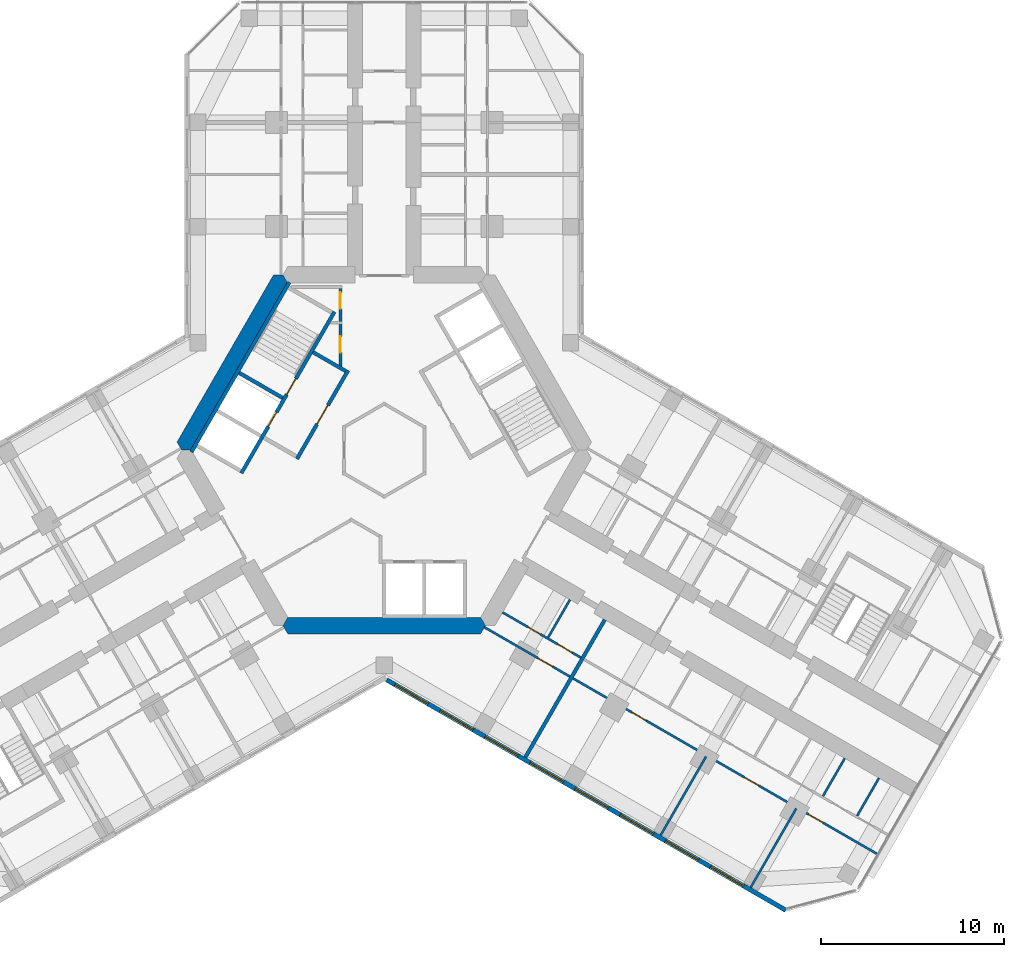
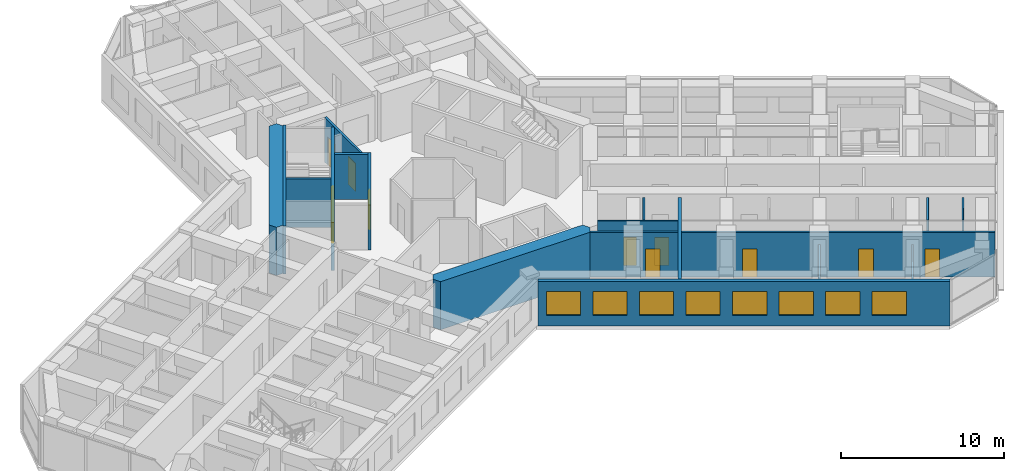
# One storey, part 13 of 19: 18 walls, 11 doors, 8 windows, 19 openings.
"""IFC4 building model written with IfcOpenShell, lengths in metres."""

import ifcopenshell
import ifcopenshell.guid

model = None  # the IFC model being written
_history = None  # IfcOwnerHistory: only IFC2X3 demands one
_inside = {}  # id of a spatial element -> (the spatial element, [elements in it])
_under = {}  # id of a project, library or spatial element -> (it, [spatial elements below it])
_declared = {}  # id of a project -> (the project, [libraries it declares])
_typed = {}  # id of a type object -> (the type object, [elements of that type])
_made_of = {}  # id of a material, layer set ... -> (it, [elements and type objects made of it])


def new_model(schema):
    """Start an empty IFC model of exactly this schema.

    Asked for "IFC4X3", IfcOpenShell would pick the latest addendum, in which some entities
    have other attributes; the version numbers below select the first issue.
    IFC2X3 requires an IfcOwnerHistory on every rooted entity: one is made here for all.
    """
    global model, _history
    if schema == "IFC4X3":
        model = ifcopenshell.file(schema_version=(4, 3, 0, 0))
    else:
        model = ifcopenshell.file(schema=schema)
    _inside.clear()
    _under.clear()
    _declared.clear()
    _typed.clear()
    _made_of.clear()
    _history = None
    if model.schema == "IFC2X3":
        org = make("IfcOrganization", Name="unknown")
        user = make(
            "IfcPersonAndOrganization",
            ThePerson=make("IfcPerson", FamilyName="unknown"),
            TheOrganization=org,
        )
        app = make(
            "IfcApplication",
            ApplicationDeveloper=org,
            Version="unknown",
            ApplicationFullName="unknown",
            ApplicationIdentifier="unknown",
        )
        _history = make(
            "IfcOwnerHistory",
            OwningUser=user,
            OwningApplication=app,
            ChangeAction="ADDED",
            CreationDate=0,
        )
    return model


def make(cls, **values):
    """One entity of the class cls with the attributes given. An attribute that is None is left unset."""
    return model.create_entity(
        cls, **{name: value for name, value in values.items() if value is not None}
    )


def rooted(cls, **values):
    """An entity with a GlobalId (a new one), such as an element, a storey or a relation."""
    return make(cls, GlobalId=ifcopenshell.guid.new(), OwnerHistory=_history, **values)


def si_unit(unit_type, name, prefix=None):
    """IfcSIUnit, for example si_unit("LENGTHUNIT", "METRE", prefix="MILLI")."""
    return make("IfcSIUnit", UnitType=unit_type, Prefix=prefix, Name=name)


def assignment(units):
    """IfcUnitAssignment: the units of a project."""
    return None if units is None else make("IfcUnitAssignment", Units=units)


def point(xyz):
    """IfcCartesianPoint."""
    return None if xyz is None else make("IfcCartesianPoint", Coordinates=xyz)


def direction(xyz):
    """IfcDirection."""
    return None if xyz is None else make("IfcDirection", DirectionRatios=xyz)


def frame(location, z_axis=None, x_axis=None):
    """IfcAxis2Placement3D, a coordinate frame: its origin and axes. An axis left out is left unset."""
    return make(
        "IfcAxis2Placement3D",
        Location=point(location),
        Axis=direction(z_axis),
        RefDirection=direction(x_axis),
    )


def frame_2d(location, x_axis=None):
    """IfcAxis2Placement2D, a coordinate frame in the plane: its origin and x axis."""
    return make(
        "IfcAxis2Placement2D", Location=point(location), RefDirection=direction(x_axis)
    )


def origin():
    """The frame at (0, 0, 0) with its axes left unset."""
    return frame((0.0, 0.0, 0.0))


def place(relative_to, where):
    """IfcLocalPlacement: puts the frame where relative to a parent placement (None: the world)."""
    return make(
        "IfcLocalPlacement", PlacementRelTo=relative_to, RelativePlacement=where
    )


def context(
    kind, dimensions, precision=None, world=None, true_north=None, identifier=None
):
    """IfcGeometricRepresentationContext, for example the 3D "Model" context."""
    return make(
        "IfcGeometricRepresentationContext",
        ContextIdentifier=identifier,
        ContextType=kind,
        CoordinateSpaceDimension=dimensions,
        Precision=precision,
        WorldCoordinateSystem=world,
        TrueNorth=true_north,
    )


def subcontext(parent, identifier, kind, view, scale=None):
    """IfcGeometricRepresentationSubContext, for example "Body" below "Model"."""
    return make(
        "IfcGeometricRepresentationSubContext",
        ContextIdentifier=identifier,
        ContextType=kind,
        ParentContext=parent,
        TargetScale=scale,
        TargetView=view,
    )


def project(units=None, contexts=None):
    """IfcProject with its units and contexts."""
    return rooted(
        "IfcProject",
        Name="project",
        RepresentationContexts=contexts,
        UnitsInContext=assignment(units),
    )


def spatial(cls, under=None, at=None, **own):
    """A site, building, storey or space (cls), placed at a placement, below another one or the project."""
    s = rooted(cls, ObjectPlacement=at, **own)
    if under is not None:
        _under.setdefault(under.id(), (under, []))[1].append(s)
    return s


def polyline(points):
    """IfcPolyline through the points."""
    return make("IfcPolyline", Points=[point(p) for p in points])


def profile(cls, at=None, kind="AREA", **sizes):
    """A parametric profile (cls). Its sizes go by their IFC names, for example OverallWidth=200.0."""
    return make(cls, ProfileType=kind, Position=at, **sizes)


def rectangle(**sizes):
    """IfcRectangleProfileDef."""
    return profile("IfcRectangleProfileDef", **sizes)


def outline(outer, holes=None, kind="AREA"):
    """IfcArbitraryClosedProfileDef: a profile drawn as a closed curve; with holes, ...WithVoids."""
    if holes is None:
        return make("IfcArbitraryClosedProfileDef", ProfileType=kind, OuterCurve=outer)
    return make(
        "IfcArbitraryProfileDefWithVoids",
        ProfileType=kind,
        OuterCurve=outer,
        InnerCurves=holes,
    )


def extrude(swept, where, along, depth):
    """IfcExtrudedAreaSolid: the profile swept, set in the frame where, extruded along a direction by depth."""
    return make(
        "IfcExtrudedAreaSolid",
        SweptArea=swept,
        Position=where,
        ExtrudedDirection=direction(along),
        Depth=depth,
    )


def shape(context_of_items, identifier, shape_type, items):
    """IfcShapeRepresentation: the items that make up one representation, for example the "Body"."""
    return make(
        "IfcShapeRepresentation",
        ContextOfItems=context_of_items,
        RepresentationIdentifier=identifier,
        RepresentationType=shape_type,
        Items=items,
    )


def material(Name=None, Category=None):
    """IfcMaterial."""
    return make("IfcMaterial", Name=Name, Category=Category)


def layer(
    of_material, thickness, ventilated=None, Name=None, Category=None, Priority=None
):
    """IfcMaterialLayer: one layer of a wall or slab, of a material (None: an air gap)."""
    return make(
        "IfcMaterialLayer",
        Material=of_material,
        LayerThickness=thickness,
        IsVentilated=ventilated,
        Name=Name,
        Category=Category,
        Priority=Priority,
    )


def layer_set(layers, Name=None):
    """IfcMaterialLayerSet."""
    return make("IfcMaterialLayerSet", MaterialLayers=layers, LayerSetName=Name)


def made_of(thing, what):
    """Note that an element or type object is made of a material, layer set ...; save() writes the relation."""
    if what is not None:
        _made_of.setdefault(what.id(), (what, []))[1].append(thing)
    return thing


def type_object(cls, material=None, **own):
    """A type object (cls), such as IfcWallType, which elements share."""
    return made_of(rooted(cls, **own), material)


def element(
    cls,
    number,
    at=None,
    inside=None,
    cuts=None,
    type_object=None,
    material=None,
    context=None,
    identifier="Body",
    shape_type=None,
    held_by="IfcProductDefinitionShape",
    body=None,
    shapes=None,
    **own,
):
    """One element of the class cls, such as IfcWall. Its Tag is "e" and its number.

    at: its placement. inside: the storey or other place that contains it. cuts: it is an
    opening in that element (IfcRelVoidsElement). A single representation is given by context,
    identifier, shape_type and body (its items); several are given by shapes. held_by: the class
    of the entity that holds the representations. save() writes the other relations.
    """
    e = rooted(cls, Tag="e%d" % number, ObjectPlacement=at, **own)
    if body is not None:
        shapes = [shape(context, identifier, shape_type, body)]
    if shapes is not None:
        e.Representation = make(held_by, Representations=shapes)
    if inside is not None:
        _inside.setdefault(inside.id(), (inside, []))[1].append(e)
    if cuts is not None:
        rooted(
            "IfcRelVoidsElement", RelatingBuildingElement=cuts, RelatedOpeningElement=e
        )
    if type_object is not None:
        _typed.setdefault(type_object.id(), (type_object, []))[1].append(e)
    return made_of(e, material)


def fill(opening, filler):
    """IfcRelFillsElement: the door or window that sits in an opening."""
    return rooted(
        "IfcRelFillsElement",
        RelatingOpeningElement=opening,
        RelatedBuildingElement=filler,
    )


def aggregate(whole, parts):
    """IfcRelAggregates: a whole, such as a stair, and the parts it consists of."""
    return rooted("IfcRelAggregates", RelatingObject=whole, RelatedObjects=parts)


def save(model, path):
    """Write the relations noted so far, then the file.

    IfcRelAggregates (storeys below a building ...), IfcRelContainedInSpatialStructure (elements
    in a storey), IfcRelDefinesByType, IfcRelAssociatesMaterial and IfcRelDeclares: one each for
    every whole, place, type object, material and project.
    """
    for whole, parts in _under.values():
        aggregate(whole, parts)
    for where, things in _inside.values():
        rooted(
            "IfcRelContainedInSpatialStructure",
            RelatedElements=things,
            RelatingStructure=where,
        )
    for kind, things in _typed.values():
        rooted("IfcRelDefinesByType", RelatedObjects=things, RelatingType=kind)
    for what, things in _made_of.values():
        rooted("IfcRelAssociatesMaterial", RelatedObjects=things, RelatingMaterial=what)
    for by, libraries in _declared.values():
        rooted("IfcRelDeclares", RelatingContext=by, RelatedDefinitions=libraries)
    model.write(path)


model = new_model("IFC4")

# Units and contexts
model_context = context("Model", 3, precision=1e-05, world=origin(), true_north=direction((0.0, 1.0)))
body_context = subcontext(model_context, "Body", "Model", "MODEL_VIEW")
ifc_project = project(units=[si_unit("LENGTHUNIT", "METRE"), si_unit("AREAUNIT", "SQUARE_METRE"), si_unit("VOLUMEUNIT", "CUBIC_METRE"), si_unit("PLANEANGLEUNIT", "RADIAN"), si_unit("MASSUNIT", "GRAM", prefix="KILO")], contexts=[model_context])

# Site, building, storey
site_placement = place(None, origin())
site = spatial("IfcSite", under=ifc_project, at=site_placement, CompositionType="ELEMENT")
building_placement = place(site_placement, origin())
building = spatial("IfcBuilding", under=site, at=building_placement, Name="Kosmar Iwan School Tower", CompositionType="ELEMENT")
storey_placement = place(building_placement, frame((0.0, 0.0, 145.39990234375)))
storey = spatial("IfcBuildingStorey", under=building, at=storey_placement, Name="L36", CompositionType="ELEMENT", Elevation=145.39990234375)

# Wall, openings, doors
ifc_material_1 = material(Name="Gypsum board on steel studs, fire-rated", Category="steel")
ifc_layer_1 = layer(ifc_material_1, 0.14990234375)
ifc_layer_set_1 = layer_set([ifc_layer_1], Name="Core room partition 150")
wall_type_1 = type_object("IfcWallType", Name="Core room partition 150", PredefinedType="PARTITIONING", material=ifc_layer_set_1)
wall_1_placement = place(storey_placement, frame((-2.39990234375, 9.014892578125, 0.0), z_axis=(0.0, 0.0, 1.0), x_axis=(0.0, -1.0, 0.0)))
wall_1 = element("IfcWall", 1, at=wall_1_placement, inside=storey, type_object=wall_type_1, Name="Core room partition L36-CW1", PredefinedType="PARTITIONING", context=body_context, shape_type="SweptSolid", body=[
    extrude(rectangle(XDim=4.484130859375, YDim=0.14990234375, at=frame_2d((2.2421875, 0.0))), origin(), (0.0, 0.0, 1.0), 3.35009765625),
])
opening_1_placement = place(wall_1_placement, frame((0.375, 0.0, 0.0)))
opening_1 = element("IfcOpeningElement", 2, at=opening_1_placement, cuts=wall_1, Name="Opening D14", PredefinedType="OPENING", context=body_context, shape_type="SweptSolid", body=[
    extrude(rectangle(XDim=0.89990234375, YDim=2.10009765625, at=frame_2d((0.449951171875, 1.050048828125))), frame((0.0, 0.0869140625, 0.0), z_axis=(0.0, -1.0, 0.0), x_axis=(1.0, 0.0, 0.0)), (0.0, 0.0, 1.0), 0.173828125),
])
opening_2_placement = place(wall_1_placement, frame((2.77490234375, 0.0, 0.0)))
opening_2 = element("IfcOpeningElement", 3, at=opening_2_placement, cuts=wall_1, Name="Opening D14", PredefinedType="OPENING", context=body_context, shape_type="SweptSolid", body=[
    extrude(rectangle(XDim=0.89990234375, YDim=2.10009765625, at=frame_2d((0.449951171875, 1.050048828125))), frame((0.0, 0.0869140625, 0.0), z_axis=(0.0, -1.0, 0.0), x_axis=(1.0, 0.0, 0.0)), (0.0, 0.0, 1.0), 0.173828125),
])
ifc_material_2 = material(Name="Timber fire door in steel frame", Category="steel")
door_type_1 = type_object("IfcDoorType", Name="Core room door 900x2100", OperationType="SINGLE_SWING_LEFT", PredefinedType="DOOR", material=ifc_material_2)
door_1_placement = place(opening_1_placement, origin())
door_1 = element("IfcDoor", 4, at=door_1_placement, inside=storey, type_object=door_type_1, Name="Electrical riser and switch room door L36 1", OperationType="SINGLE_SWING_LEFT", OverallHeight=2.10009765625, OverallWidth=0.89990234375, PredefinedType="DOOR", context=body_context, shape_type="SweptSolid", body=[
    extrude(rectangle(XDim=0.89990234375, YDim=2.10009765625, at=frame_2d((0.449951171875, 1.050048828125))), frame((0.0, 0.02490234375, 0.0), z_axis=(0.0, -1.0, 0.0), x_axis=(1.0, 0.0, 0.0)), (0.0, 0.0, 1.0), 0.050048828125),
])
fill(opening_1, door_1)
door_2_placement = place(opening_2_placement, origin())
door_2 = element("IfcDoor", 5, at=door_2_placement, inside=storey, type_object=door_type_1, Name="Plumbing and wet riser door L36 2", OperationType="SINGLE_SWING_RIGHT", OverallHeight=2.10009765625, OverallWidth=0.89990234375, PredefinedType="DOOR", context=body_context, shape_type="SweptSolid", body=[
    extrude(rectangle(XDim=0.89990234375, YDim=2.10009765625, at=frame_2d((0.449951171875, 1.050048828125))), frame((0.0, 0.02490234375, 0.0), z_axis=(0.0, -1.0, 0.0), x_axis=(1.0, 0.0, 0.0)), (0.0, 0.0, 1.0), 0.050048828125),
])
fill(opening_2, door_2)

# Walls
ifc_material_3 = material(Name="Concrete C50/60", Category="concrete")
ifc_layer_2 = layer(ifc_material_3, 0.89990234375)
ifc_layer_set_2 = layer_set([ifc_layer_2], Name="Core wall 900")
wall_type_2 = type_object("IfcWallType", Name="Core wall 900", PredefinedType="SHEAR", material=ifc_layer_set_2)
wall_2_placement = place(storey_placement, origin())
element("IfcWall", 6, at=wall_2_placement, inside=storey, type_object=wall_type_2, Name="Core wall F150", PredefinedType="SHEAR", context=body_context, shape_type="SweptSolid", body=[
    extrude(outline(polyline([(-11.085205078125, 0.0), (-10.5654296875, 0.0), (-5.28271484375, 9.14990234375), (-5.54248046875, 9.60009765625), (-6.062255859375, 9.60009765625), (-11.344970703125, 0.449951171875), (-11.085205078125, 0.0)])), origin(), (0.0, 0.0, 1.0), 3.60009765625),
])
wall_3_placement = place(storey_placement, origin())
element("IfcWall", 7, at=wall_3_placement, inside=storey, type_object=wall_type_2, Name="Core wall F270", PredefinedType="SHEAR", context=body_context, shape_type="SweptSolid", body=[
    extrude(outline(polyline([(-5.28271484375, -10.050048828125), (5.28271484375, -10.050048828125), (5.54248046875, -9.60009765625), (5.28271484375, -9.14990234375), (-5.28271484375, -9.14990234375), (-5.54248046875, -9.60009765625), (-5.28271484375, -10.050048828125)])), origin(), (0.0, 0.0, 1.0), 3.60009765625),
])

# Wall, openings, doors
ifc_material_4 = material(Name="Gypsum board on steel studs", Category="steel")
ifc_layer_3 = layer(ifc_material_4, 0.1201171875)
ifc_layer_set_3 = layer_set([ifc_layer_3], Name="Dwelling partition 120")
wall_type_3 = type_object("IfcWallType", Name="Dwelling partition 120", PredefinedType="PARTITIONING", material=ifc_layer_set_3)
wall_4_placement = place(storey_placement, frame((6.478515625, -8.87890625, 0.0), z_axis=(0.0, 0.0, 1.0), x_axis=(0.866040211805, -0.499974350878, 0.0)))
wall_4 = element("IfcWall", 8, at=wall_4_placement, inside=storey, type_object=wall_type_3, Name="Partition L36-CR1-W1", PredefinedType="PARTITIONING", context=body_context, shape_type="SweptSolid", body=[
    extrude(rectangle(XDim=4.949951171875, YDim=0.1201171875, at=frame_2d((2.47509765625, 0.0))), origin(), (0.0, 0.0, 1.0), 3.35009765625),
])
opening_3_placement = place(wall_4_placement, frame((1.60009765625, 0.0, 0.0)))
opening_3 = element("IfcOpeningElement", 9, at=opening_3_placement, cuts=wall_4, Name="Opening D3", PredefinedType="OPENING", context=body_context, shape_type="SweptSolid", body=[
    extrude(rectangle(XDim=0.800048828125, YDim=2.10009765625, at=frame_2d((0.39990234375, 1.050048828125))), frame((0.0, 0.072021484375, 0.0), z_axis=(0.0, -1.0, 0.0), x_axis=(1.0, 0.0, 0.0)), (0.0, 0.0, 1.0), 0.14404296875),
])
opening_4_placement = place(wall_4_placement, frame((3.5, 0.0, 0.0)))
opening_4 = element("IfcOpeningElement", 10, at=opening_4_placement, cuts=wall_4, Name="Opening D2", PredefinedType="OPENING", context=body_context, shape_type="SweptSolid", body=[
    extrude(rectangle(XDim=0.89990234375, YDim=2.10009765625, at=frame_2d((0.449951171875, 1.050048828125))), frame((0.0, 0.072021484375, 0.0), z_axis=(0.0, -1.0, 0.0), x_axis=(1.0, 0.0, 0.0)), (0.0, 0.0, 1.0), 0.14404296875),
])
ifc_material_5 = material(Name="Timber door in timber frame", Category="wood")
door_type_2 = type_object("IfcDoorType", Name="Internal door 900x2100", OperationType="SINGLE_SWING_LEFT", PredefinedType="DOOR", material=ifc_material_5)
door_3_placement = place(opening_4_placement, origin())
door_3 = element("IfcDoor", 11, at=door_3_placement, inside=storey, type_object=door_type_2, Name="Entrance hall door L36-CR1-S2", OperationType="SINGLE_SWING_RIGHT", OverallHeight=2.10009765625, OverallWidth=0.89990234375, PredefinedType="DOOR", context=body_context, shape_type="SweptSolid", body=[
    extrude(rectangle(XDim=0.89990234375, YDim=2.10009765625, at=frame_2d((0.449951171875, 1.050048828125))), frame((0.0, 0.02490234375, 0.0), z_axis=(0.0, -1.0, 0.0), x_axis=(1.0, 0.0, 0.0)), (0.0, 0.0, 1.0), 0.050048828125),
])
fill(opening_4, door_3)
ifc_material_6 = material(Name="Timber door in timber frame", Category="wood")
door_type_3 = type_object("IfcDoorType", Name="Sanitary room door 800x2100", OperationType="SINGLE_SWING_LEFT", PredefinedType="DOOR", material=ifc_material_6)
door_4_placement = place(opening_3_placement, origin())
door_4 = element("IfcDoor", 12, at=door_4_placement, inside=storey, type_object=door_type_3, Name="Bathroom door L36-CR1-S1", OperationType="SINGLE_SWING_RIGHT", OverallHeight=2.10009765625, OverallWidth=0.800048828125, PredefinedType="DOOR", context=body_context, shape_type="SweptSolid", body=[
    extrude(rectangle(XDim=0.800048828125, YDim=2.10009765625, at=frame_2d((0.39990234375, 1.050048828125))), frame((0.0, 0.02490234375, 0.0), z_axis=(0.0, -1.0, 0.0), x_axis=(1.0, 0.0, 0.0)), (0.0, 0.0, 1.0), 0.050048828125),
])
fill(opening_3, door_4)

# Wall, opening, door
wall_5_placement = place(storey_placement, frame((5.48876953125, -9.693115234375, 0.0), z_axis=(0.0, 0.0, 1.0), x_axis=(0.866028230842, -0.499995103361, 0.0)))
wall_5 = element("IfcWall", 13, at=wall_5_placement, inside=storey, type_object=wall_type_3, Name="Partition L36-CR1-W2", PredefinedType="PARTITIONING", context=body_context, shape_type="SweptSolid", body=[
    extrude(rectangle(XDim=5.39990234375, YDim=0.1201171875, at=frame_2d((2.699951171875, 0.0))), origin(), (0.0, 0.0, 1.0), 3.35009765625),
])
opening_5_placement = place(wall_5_placement, frame((3.39990234375, 0.0, 0.0)))
opening_5 = element("IfcOpeningElement", 14, at=opening_5_placement, cuts=wall_5, Name="Opening D2", PredefinedType="OPENING", context=body_context, shape_type="SweptSolid", body=[
    extrude(rectangle(XDim=0.89990234375, YDim=2.10009765625, at=frame_2d((0.449951171875, 1.050048828125))), frame((0.0, 0.072021484375, 0.0), z_axis=(0.0, -1.0, 0.0), x_axis=(1.0, 0.0, 0.0)), (0.0, 0.0, 1.0), 0.14404296875),
])
door_5_placement = place(opening_5_placement, origin())
door_5 = element("IfcDoor", 15, at=door_5_placement, inside=storey, type_object=door_type_2, Name="Studio living room and kitchen door L36-CR1-F1", OperationType="SINGLE_SWING_RIGHT", OverallHeight=2.10009765625, OverallWidth=0.89990234375, PredefinedType="DOOR", context=body_context, shape_type="SweptSolid", body=[
    extrude(rectangle(XDim=0.89990234375, YDim=2.10009765625, at=frame_2d((0.449951171875, 1.050048828125))), frame((0.0, 0.02490234375, 0.0), z_axis=(0.0, -1.0, 0.0), x_axis=(1.0, 0.0, 0.0)), (0.0, 0.0, 1.0), 0.050048828125),
])
fill(opening_5, door_5)

# Wall
wall_6_placement = place(storey_placement, frame((10.171630859375, -8.18212890625, 0.0), z_axis=(0.0, 0.0, 1.0), x_axis=(-0.499940577336, -0.866059708757, 0.0)))
element("IfcWall", 16, at=wall_6_placement, inside=storey, type_object=wall_type_3, Name="Partition L36-CR1-Y1", PredefinedType="PARTITIONING", context=body_context, shape_type="SweptSolid", body=[
    extrude(rectangle(XDim=2.389892578125, YDim=0.1201171875, at=frame_2d((1.19482421875, 0.0))), origin(), (0.0, 0.0, 1.0), 3.35009765625),
])

# Wall, openings, doors
wall_7_placement = place(storey_placement, frame((10.338623046875, -12.492919921875, 0.0), z_axis=(0.0, 0.0, 1.0), x_axis=(0.866021011428, -0.500007607708, 0.0)))
wall_7 = element("IfcWall", 17, at=wall_7_placement, inside=storey, type_object=wall_type_3, Name="Partition L36-CR2-W2", PredefinedType="PARTITIONING", context=body_context, shape_type="SweptSolid", body=[
    extrude(rectangle(XDim=19.195068359375, YDim=0.1201171875, at=frame_2d((9.59765625, 0.0))), origin(), (0.0, 0.0, 1.0), 3.35009765625),
])
opening_6_placement = place(wall_7_placement, frame((3.72509765625, 0.0, 0.0)))
opening_6 = element("IfcOpeningElement", 18, at=opening_6_placement, cuts=wall_7, Name="Opening D2", PredefinedType="OPENING", context=body_context, shape_type="SweptSolid", body=[
    extrude(rectangle(XDim=0.89990234375, YDim=2.10009765625, at=frame_2d((0.449951171875, 1.050048828125))), frame((0.0, 0.072021484375, 0.0), z_axis=(0.0, -1.0, 0.0), x_axis=(1.0, 0.0, 0.0)), (0.0, 0.0, 1.0), 0.14404296875),
])
opening_7_placement = place(wall_7_placement, frame((10.85009765625, 0.0, 0.0)))
opening_7 = element("IfcOpeningElement", 19, at=opening_7_placement, cuts=wall_7, Name="Opening D2", PredefinedType="OPENING", context=body_context, shape_type="SweptSolid", body=[
    extrude(rectangle(XDim=0.89990234375, YDim=2.10009765625, at=frame_2d((0.449951171875, 1.050048828125))), frame((0.0, 0.072021484375, 0.0), z_axis=(0.0, -1.0, 0.0), x_axis=(1.0, 0.0, 0.0)), (0.0, 0.0, 1.0), 0.14404296875),
])
opening_8_placement = place(wall_7_placement, frame((14.89990234375, 0.0, 0.0)))
opening_8 = element("IfcOpeningElement", 20, at=opening_8_placement, cuts=wall_7, Name="Opening D2", PredefinedType="OPENING", context=body_context, shape_type="SweptSolid", body=[
    extrude(rectangle(XDim=0.89990234375, YDim=2.10009765625, at=frame_2d((0.449951171875, 1.050048828125))), frame((0.0, 0.072021484375, 0.0), z_axis=(0.0, -1.0, 0.0), x_axis=(1.0, 0.0, 0.0)), (0.0, 0.0, 1.0), 0.14404296875),
])
door_6_placement = place(opening_6_placement, origin())
door_6 = element("IfcDoor", 21, at=door_6_placement, inside=storey, type_object=door_type_2, Name="Living room door L36-CR2-F1", OperationType="SINGLE_SWING_LEFT", OverallHeight=2.10009765625, OverallWidth=0.89990234375, PredefinedType="DOOR", context=body_context, shape_type="SweptSolid", body=[
    extrude(rectangle(XDim=0.89990234375, YDim=2.10009765625, at=frame_2d((0.449951171875, 1.050048828125))), frame((0.0, 0.02490234375, 0.0), z_axis=(0.0, -1.0, 0.0), x_axis=(1.0, 0.0, 0.0)), (0.0, 0.0, 1.0), 0.050048828125),
])
fill(opening_6, door_6)
door_7_placement = place(opening_7_placement, origin())
door_7 = element("IfcDoor", 22, at=door_7_placement, inside=storey, type_object=door_type_2, Name="Bedroom 1 door L36-CR2-F2", OperationType="SINGLE_SWING_RIGHT", OverallHeight=2.10009765625, OverallWidth=0.89990234375, PredefinedType="DOOR", context=body_context, shape_type="SweptSolid", body=[
    extrude(rectangle(XDim=0.89990234375, YDim=2.10009765625, at=frame_2d((0.449951171875, 1.050048828125))), frame((0.0, 0.02490234375, 0.0), z_axis=(0.0, -1.0, 0.0), x_axis=(1.0, 0.0, 0.0)), (0.0, 0.0, 1.0), 0.050048828125),
])
fill(opening_7, door_7)
door_8_placement = place(opening_8_placement, origin())
door_8 = element("IfcDoor", 23, at=door_8_placement, inside=storey, type_object=door_type_2, Name="Kitchen and dining room door L36-CR2-F3", OperationType="SINGLE_SWING_RIGHT", OverallHeight=2.10009765625, OverallWidth=0.89990234375, PredefinedType="DOOR", context=body_context, shape_type="SweptSolid", body=[
    extrude(rectangle(XDim=0.89990234375, YDim=2.10009765625, at=frame_2d((0.449951171875, 1.050048828125))), frame((0.0, 0.02490234375, 0.0), z_axis=(0.0, -1.0, 0.0), x_axis=(1.0, 0.0, 0.0)), (0.0, 0.0, 1.0), 0.050048828125),
])
fill(opening_8, door_8)

# Walls
wall_8_placement = place(storey_placement, frame((17.62646484375, -16.77001953125, 0.0), z_axis=(0.0, 0.0, 1.0), x_axis=(-0.499975153383, -0.86603974851, 0.0)))
element("IfcWall", 24, at=wall_8_placement, inside=storey, type_object=wall_type_3, Name="Partition L36-CR2-X1", PredefinedType="PARTITIONING", context=body_context, shape_type="SweptSolid", body=[
    extrude(rectangle(XDim=4.989990234375, YDim=0.1201171875, at=frame_2d((2.4951171875, 0.0))), origin(), (0.0, 0.0, 1.0), 2.4501953125),
])
wall_9_placement = place(storey_placement, frame((22.562744140625, -19.6201171875, 0.0), z_axis=(0.0, 0.0, 1.0), x_axis=(-0.499996339024, -0.86602751744, 0.0)))
element("IfcWall", 25, at=wall_9_placement, inside=storey, type_object=wall_type_3, Name="Partition L36-CR2-X2", PredefinedType="PARTITIONING", context=body_context, shape_type="SweptSolid", body=[
    extrude(rectangle(XDim=4.98974609375, YDim=0.1201171875, at=frame_2d((2.494873046875, 0.0))), origin(), (0.0, 0.0, 1.0), 2.4501953125),
])
for number, where, z_axis, x_axis, name in (
    (26, (25.220703125, -16.87060546875, 0.0), (0.0, 0.0, 1.0), (-0.500017192868, -0.86601547725, 0.0), "Partition L36-CR2-Y5"),
    (27, (27.092529296875, -17.951171875, 0.0), (0.0, 0.0, 1.0), (-0.500017192868, -0.86601547725, 0.0), "Partition L36-CR2-Y6"),
):
    element("IfcWall", number, at=place(storey_placement, frame(where, z_axis=z_axis, x_axis=x_axis)), inside=storey, type_object=wall_type_3, Name=name, PredefinedType="PARTITIONING", context=body_context, shape_type="SweptSolid", body=[
        extrude(rectangle(XDim=2.39013671875, YDim=0.1201171875, at=frame_2d((1.195068359375, 0.0))), origin(), (0.0, 0.0, 1.0), 3.35009765625),
    ])

# Wall, openings, windows
ifc_material_7 = material(Name="Black aluminium rainscreen on insulated framing", Category="aluminium")
ifc_layer_4 = layer(ifc_material_7, 0.25)
ifc_layer_set_4 = layer_set([ifc_layer_4], Name="External wall rainscreen 250")
wall_type_4 = type_object("IfcWallType", Name="External wall rainscreen 250", PredefinedType="SOLIDWALL", material=ifc_layer_set_4)
wall_10_placement = place(storey_placement, frame((0.137939453125, -12.5791015625, 0.0), z_axis=(0.0, 0.0, 1.0), x_axis=(0.866023775649, -0.500002820003, 0.0)))
wall_10 = element("IfcWall", 28, at=wall_10_placement, inside=storey, type_object=wall_type_4, Name="External wall CR L36", PredefinedType="SOLIDWALL", context=body_context, shape_type="SweptSolid", body=[
    extrude(rectangle(XDim=25.226318359375, YDim=0.25, at=frame_2d((12.61328125, 0.0))), origin(), (0.0, 0.0, 1.0), 3.35009765625),
])
opening_9_placement = place(wall_10_placement, frame((0.51611328125, 0.0, 0.800048828125)))
opening_9 = element("IfcOpeningElement", 29, at=opening_9_placement, cuts=wall_10, Name="Opening W4", PredefinedType="OPENING", context=body_context, shape_type="SweptSolid", body=[
    extrude(rectangle(XDim=2.10009765625, YDim=1.800048828125, at=frame_2d((1.050048828125, 0.89990234375))), frame((0.0, 0.136962890625, 0.0), z_axis=(0.0, -1.0, 0.0), x_axis=(1.0, 0.0, 0.0)), (0.0, 0.0, 1.0), 0.27392578125),
])
opening_10_placement = place(wall_10_placement, frame((3.365966796875, 0.0, 0.800048828125)))
opening_10 = element("IfcOpeningElement", 30, at=opening_10_placement, cuts=wall_10, Name="Opening W4", PredefinedType="OPENING", context=body_context, shape_type="SweptSolid", body=[
    extrude(rectangle(XDim=2.10009765625, YDim=1.800048828125, at=frame_2d((1.050048828125, 0.89990234375))), frame((0.0, 0.136962890625, 0.0), z_axis=(0.0, -1.0, 0.0), x_axis=(1.0, 0.0, 0.0)), (0.0, 0.0, 1.0), 0.27392578125),
])
opening_11_placement = place(wall_10_placement, frame((6.216064453125, 0.0, 0.800048828125)))
opening_11 = element("IfcOpeningElement", 31, at=opening_11_placement, cuts=wall_10, Name="Opening W4", PredefinedType="OPENING", context=body_context, shape_type="SweptSolid", body=[
    extrude(rectangle(XDim=2.10009765625, YDim=1.800048828125, at=frame_2d((1.050048828125, 0.89990234375))), frame((0.0, 0.136962890625, 0.0), z_axis=(0.0, -1.0, 0.0), x_axis=(1.0, 0.0, 0.0)), (0.0, 0.0, 1.0), 0.27392578125),
])
opening_12_placement = place(wall_10_placement, frame((9.06591796875, 0.0, 0.800048828125)))
opening_12 = element("IfcOpeningElement", 32, at=opening_12_placement, cuts=wall_10, Name="Opening W4", PredefinedType="OPENING", context=body_context, shape_type="SweptSolid", body=[
    extrude(rectangle(XDim=2.10009765625, YDim=1.800048828125, at=frame_2d((1.050048828125, 0.89990234375))), frame((0.0, 0.136962890625, 0.0), z_axis=(0.0, -1.0, 0.0), x_axis=(1.0, 0.0, 0.0)), (0.0, 0.0, 1.0), 0.27392578125),
])
opening_13_placement = place(wall_10_placement, frame((11.916015625, 0.0, 0.800048828125)))
opening_13 = element("IfcOpeningElement", 33, at=opening_13_placement, cuts=wall_10, Name="Opening W4", PredefinedType="OPENING", context=body_context, shape_type="SweptSolid", body=[
    extrude(rectangle(XDim=2.10009765625, YDim=1.800048828125, at=frame_2d((1.050048828125, 0.89990234375))), frame((0.0, 0.136962890625, 0.0), z_axis=(0.0, -1.0, 0.0), x_axis=(1.0, 0.0, 0.0)), (0.0, 0.0, 1.0), 0.27392578125),
])
opening_14_placement = place(wall_10_placement, frame((14.76611328125, 0.0, 0.800048828125)))
opening_14 = element("IfcOpeningElement", 34, at=opening_14_placement, cuts=wall_10, Name="Opening W4", PredefinedType="OPENING", context=body_context, shape_type="SweptSolid", body=[
    extrude(rectangle(XDim=2.10009765625, YDim=1.800048828125, at=frame_2d((1.050048828125, 0.89990234375))), frame((0.0, 0.136962890625, 0.0), z_axis=(0.0, -1.0, 0.0), x_axis=(1.0, 0.0, 0.0)), (0.0, 0.0, 1.0), 0.27392578125),
])
opening_15_placement = place(wall_10_placement, frame((17.615966796875, 0.0, 0.800048828125)))
opening_15 = element("IfcOpeningElement", 35, at=opening_15_placement, cuts=wall_10, Name="Opening W4", PredefinedType="OPENING", context=body_context, shape_type="SweptSolid", body=[
    extrude(rectangle(XDim=2.10009765625, YDim=1.800048828125, at=frame_2d((1.050048828125, 0.89990234375))), frame((0.0, 0.136962890625, 0.0), z_axis=(0.0, -1.0, 0.0), x_axis=(1.0, 0.0, 0.0)), (0.0, 0.0, 1.0), 0.27392578125),
])
opening_16_placement = place(wall_10_placement, frame((20.466064453125, 0.0, 0.800048828125)))
opening_16 = element("IfcOpeningElement", 36, at=opening_16_placement, cuts=wall_10, Name="Opening W4", PredefinedType="OPENING", context=body_context, shape_type="SweptSolid", body=[
    extrude(rectangle(XDim=2.10009765625, YDim=1.800048828125, at=frame_2d((1.050048828125, 0.89990234375))), frame((0.0, 0.136962890625, 0.0), z_axis=(0.0, -1.0, 0.0), x_axis=(1.0, 0.0, 0.0)), (0.0, 0.0, 1.0), 0.27392578125),
])
ifc_material_8 = material(Name="Black aluminium frame with dark triple glazing", Category="aluminium")
window_type = type_object("IfcWindowType", Name="Window 2100x1800", PartitioningType="SINGLE_PANEL", PredefinedType="WINDOW", material=ifc_material_8)
window_1_placement = place(opening_9_placement, origin())
window_1 = element("IfcWindow", 37, at=window_1_placement, inside=storey, type_object=window_type, Name="Window CR L36 -1", OverallHeight=1.800048828125, OverallWidth=2.10009765625, PartitioningType="SINGLE_PANEL", PredefinedType="WINDOW", context=body_context, shape_type="SweptSolid", body=[
    extrude(rectangle(XDim=2.10009765625, YDim=1.800048828125, at=frame_2d((1.050048828125, 0.89990234375))), frame((0.0, 0.030029296875, 0.0), z_axis=(0.0, -1.0, 0.0), x_axis=(1.0, 0.0, 0.0)), (0.0, 0.0, 1.0), 0.06005859375),
])
fill(opening_9, window_1)
window_2_placement = place(opening_10_placement, origin())
window_2 = element("IfcWindow", 38, at=window_2_placement, inside=storey, type_object=window_type, Name="Window CR L36 0", OverallHeight=1.800048828125, OverallWidth=2.10009765625, PartitioningType="SINGLE_PANEL", PredefinedType="WINDOW", context=body_context, shape_type="SweptSolid", body=[
    extrude(rectangle(XDim=2.10009765625, YDim=1.800048828125, at=frame_2d((1.050048828125, 0.89990234375))), frame((0.0, 0.030029296875, 0.0), z_axis=(0.0, -1.0, 0.0), x_axis=(1.0, 0.0, 0.0)), (0.0, 0.0, 1.0), 0.06005859375),
])
fill(opening_10, window_2)
window_3_placement = place(opening_11_placement, origin())
window_3 = element("IfcWindow", 39, at=window_3_placement, inside=storey, type_object=window_type, Name="Window CR L36 1", OverallHeight=1.800048828125, OverallWidth=2.10009765625, PartitioningType="SINGLE_PANEL", PredefinedType="WINDOW", context=body_context, shape_type="SweptSolid", body=[
    extrude(rectangle(XDim=2.10009765625, YDim=1.800048828125, at=frame_2d((1.050048828125, 0.89990234375))), frame((0.0, 0.030029296875, 0.0), z_axis=(0.0, -1.0, 0.0), x_axis=(1.0, 0.0, 0.0)), (0.0, 0.0, 1.0), 0.06005859375),
])
fill(opening_11, window_3)
window_4_placement = place(opening_12_placement, origin())
window_4 = element("IfcWindow", 40, at=window_4_placement, inside=storey, type_object=window_type, Name="Window CR L36 2", OverallHeight=1.800048828125, OverallWidth=2.10009765625, PartitioningType="SINGLE_PANEL", PredefinedType="WINDOW", context=body_context, shape_type="SweptSolid", body=[
    extrude(rectangle(XDim=2.10009765625, YDim=1.800048828125, at=frame_2d((1.050048828125, 0.89990234375))), frame((0.0, 0.030029296875, 0.0), z_axis=(0.0, -1.0, 0.0), x_axis=(1.0, 0.0, 0.0)), (0.0, 0.0, 1.0), 0.06005859375),
])
fill(opening_12, window_4)
window_5_placement = place(opening_13_placement, origin())
window_5 = element("IfcWindow", 41, at=window_5_placement, inside=storey, type_object=window_type, Name="Window CR L36 3", OverallHeight=1.800048828125, OverallWidth=2.10009765625, PartitioningType="SINGLE_PANEL", PredefinedType="WINDOW", context=body_context, shape_type="SweptSolid", body=[
    extrude(rectangle(XDim=2.10009765625, YDim=1.800048828125, at=frame_2d((1.050048828125, 0.89990234375))), frame((0.0, 0.030029296875, 0.0), z_axis=(0.0, -1.0, 0.0), x_axis=(1.0, 0.0, 0.0)), (0.0, 0.0, 1.0), 0.06005859375),
])
fill(opening_13, window_5)
window_6_placement = place(opening_14_placement, origin())
window_6 = element("IfcWindow", 42, at=window_6_placement, inside=storey, type_object=window_type, Name="Window CR L36 4", OverallHeight=1.800048828125, OverallWidth=2.10009765625, PartitioningType="SINGLE_PANEL", PredefinedType="WINDOW", context=body_context, shape_type="SweptSolid", body=[
    extrude(rectangle(XDim=2.10009765625, YDim=1.800048828125, at=frame_2d((1.050048828125, 0.89990234375))), frame((0.0, 0.030029296875, 0.0), z_axis=(0.0, -1.0, 0.0), x_axis=(1.0, 0.0, 0.0)), (0.0, 0.0, 1.0), 0.06005859375),
])
fill(opening_14, window_6)
window_7_placement = place(opening_15_placement, origin())
window_7 = element("IfcWindow", 43, at=window_7_placement, inside=storey, type_object=window_type, Name="Window CR L36 5", OverallHeight=1.800048828125, OverallWidth=2.10009765625, PartitioningType="SINGLE_PANEL", PredefinedType="WINDOW", context=body_context, shape_type="SweptSolid", body=[
    extrude(rectangle(XDim=2.10009765625, YDim=1.800048828125, at=frame_2d((1.050048828125, 0.89990234375))), frame((0.0, 0.030029296875, 0.0), z_axis=(0.0, -1.0, 0.0), x_axis=(1.0, 0.0, 0.0)), (0.0, 0.0, 1.0), 0.06005859375),
])
fill(opening_15, window_7)
window_8_placement = place(opening_16_placement, origin())
window_8 = element("IfcWindow", 44, at=window_8_placement, inside=storey, type_object=window_type, Name="Window CR L36 6", OverallHeight=1.800048828125, OverallWidth=2.10009765625, PartitioningType="SINGLE_PANEL", PredefinedType="WINDOW", context=body_context, shape_type="SweptSolid", body=[
    extrude(rectangle(XDim=2.10009765625, YDim=1.800048828125, at=frame_2d((1.050048828125, 0.89990234375))), frame((0.0, 0.030029296875, 0.0), z_axis=(0.0, -1.0, 0.0), x_axis=(1.0, 0.0, 0.0)), (0.0, 0.0, 1.0), 0.06005859375),
])
fill(opening_16, window_8)

# Wall, opening, door
ifc_material_9 = material(Name="Concrete block masonry", Category="masonry")
ifc_layer_5 = layer(ifc_material_9, 0.199951171875)
ifc_layer_set_5 = layer_set([ifc_layer_5], Name="Fire lobby wall 200")
wall_type_5 = type_object("IfcWallType", Name="Fire lobby wall 200", PredefinedType="PARTITIONING", material=ifc_layer_set_5)
wall_11_placement = place(storey_placement, frame((-1.9775390625, 4.374755859375, 0.0), z_axis=(0.0, 0.0, 1.0), x_axis=(-0.500016814911, -0.866015695474, 0.0)))
wall_11 = element("IfcWall", 45, at=wall_11_placement, inside=storey, type_object=wall_type_5, Name="Firefighting lobby wall ST2", PredefinedType="PARTITIONING", context=body_context, shape_type="SweptSolid", body=[
    extrude(rectangle(XDim=5.599853515625, YDim=0.199951171875, at=frame_2d((2.7998046875, 0.0))), origin(), (0.0, 0.0, 1.0), 3.35009765625),
])
opening_17_placement = place(wall_11_placement, frame((2.199951171875, 0.0, 0.0)))
opening_17 = element("IfcOpeningElement", 46, at=opening_17_placement, cuts=wall_11, Name="Opening D7", PredefinedType="OPENING", context=body_context, shape_type="SweptSolid", body=[
    extrude(rectangle(XDim=1.199951171875, YDim=2.10009765625, at=frame_2d((0.60009765625, 1.050048828125))), frame((0.0, 0.112060546875, 0.0), z_axis=(0.0, -1.0, 0.0), x_axis=(1.0, 0.0, 0.0)), (0.0, 0.0, 1.0), 0.223876953125),
])
ifc_material_10 = material(Name="Steel fire door", Category="steel")
door_type_4 = type_object("IfcDoorType", Name="Fire lobby door 1200x2100", OperationType="SINGLE_SWING_LEFT", PredefinedType="DOOR", material=ifc_material_10)
door_9_placement = place(opening_17_placement, origin())
door_9 = element("IfcDoor", 47, at=door_9_placement, inside=storey, type_object=door_type_4, Name="Firefighting lobby door ST2 L36", OperationType="SINGLE_SWING_LEFT", OverallHeight=2.10009765625, OverallWidth=1.199951171875, PredefinedType="DOOR", context=body_context, shape_type="SweptSolid", body=[
    extrude(rectangle(XDim=1.199951171875, YDim=2.10009765625, at=frame_2d((0.60009765625, 1.050048828125))), frame((0.0, 0.02490234375, 0.0), z_axis=(0.0, -1.0, 0.0), x_axis=(1.0, 0.0, 0.0)), (0.0, 0.0, 1.0), 0.050048828125),
])
fill(opening_17, door_9)

# Wall
wall_12_placement = place(storey_placement, frame((-2.114013671875, 4.33837890625, 0.0), z_axis=(0.0, 0.0, 1.0), x_axis=(-0.866050731258, 0.499956128963, 0.0)))
element("IfcWall", 48, at=wall_12_placement, inside=storey, type_object=wall_type_5, Name="Firefighting lobby wall ST2", PredefinedType="PARTITIONING", context=body_context, shape_type="SweptSolid", body=[
    extrude(rectangle(XDim=2.050048828125, YDim=0.199951171875, at=frame_2d((1.02490234375, 0.0))), origin(), (0.0, 0.0, 1.0), 3.35009765625),
])

# Wall, openings, doors
ifc_material_11 = material(Name="Concrete C50/60", Category="concrete")
ifc_layer_6 = layer(ifc_material_11, 0.199951171875)
ifc_layer_set_6 = layer_set([ifc_layer_6], Name="Lift shaft wall 200")
wall_type_6 = type_object("IfcWallType", Name="Lift shaft wall 200", PredefinedType="SHEAR", material=ifc_layer_set_6)
wall_13_placement = place(storey_placement, frame((-2.72607421875, 7.578369140625, 0.0), z_axis=(0.0, 0.0, 1.0), x_axis=(-0.500005610874, -0.86602216432, 0.0)))
wall_13 = element("IfcWall", 49, at=wall_13_placement, inside=storey, type_object=wall_type_6, Name="Lift and stair front wall AB", PredefinedType="SHEAR", context=body_context, shape_type="SweptSolid", body=[
    extrude(rectangle(XDim=10.2001953125, YDim=0.199951171875, at=frame_2d((5.10009765625, 0.0))), origin(), (0.0, 0.0, 1.0), 3.60009765625),
])
opening_18_placement = place(wall_13_placement, frame((6.35009765625, 0.0, 0.0)))
opening_18 = element("IfcOpeningElement", 50, at=opening_18_placement, cuts=wall_13, Name="Opening LD2", PredefinedType="OPENING", context=body_context, shape_type="SweptSolid", body=[
    extrude(rectangle(XDim=0.89990234375, YDim=2.10009765625, at=frame_2d((0.449951171875, 1.050048828125))), frame((0.0, 0.112060546875, 0.0), z_axis=(0.0, -1.0, 0.0), x_axis=(1.0, 0.0, 0.0)), (0.0, 0.0, 1.0), 0.223876953125),
])
opening_19_placement = place(wall_13_placement, frame((4.22998046875, 0.0, 0.0)))
opening_19 = element("IfcOpeningElement", 51, at=opening_19_placement, cuts=wall_13, Name="Opening D6", PredefinedType="OPENING", context=body_context, shape_type="SweptSolid", body=[
    extrude(rectangle(XDim=1.0, YDim=2.10009765625, at=frame_2d((0.5, 1.050048828125))), frame((0.0, 0.112060546875, 0.0), z_axis=(0.0, -1.0, 0.0), x_axis=(1.0, 0.0, 0.0)), (0.0, 0.0, 1.0), 0.223876953125),
])
ifc_material_12 = material(Name="Stainless steel sliding lift door", Category="steel")
door_type_5 = type_object("IfcDoorType", Name="Firefighting lift landing door 900x2100", OperationType="SLIDING_TO_LEFT", PredefinedType="DOOR", material=ifc_material_12)
door_10_placement = place(opening_18_placement, origin())
door_10 = element("IfcDoor", 52, at=door_10_placement, inside=storey, type_object=door_type_5, Name="Lift FF2 landing door L36", OperationType="SLIDING_TO_LEFT", OverallHeight=2.10009765625, OverallWidth=0.89990234375, PredefinedType="DOOR", context=body_context, shape_type="SweptSolid", body=[
    extrude(rectangle(XDim=0.89990234375, YDim=2.10009765625, at=frame_2d((0.449951171875, 1.050048828125))), frame((0.0, 0.02490234375, 0.0), z_axis=(0.0, -1.0, 0.0), x_axis=(1.0, 0.0, 0.0)), (0.0, 0.0, 1.0), 0.050048828125),
])
fill(opening_18, door_10)
ifc_material_13 = material(Name="Steel fire door", Category="steel")
door_type_6 = type_object("IfcDoorType", Name="Stair door 1000x2100", OperationType="SINGLE_SWING_LEFT", PredefinedType="DOOR", material=ifc_material_13)
door_11_placement = place(opening_19_placement, origin())
door_11 = element("IfcDoor", 53, at=door_11_placement, inside=storey, type_object=door_type_6, Name="Stair ST2 door L36", OperationType="SINGLE_SWING_LEFT", OverallHeight=2.10009765625, OverallWidth=1.0, PredefinedType="DOOR", context=body_context, shape_type="SweptSolid", body=[
    extrude(rectangle(XDim=1.0, YDim=2.10009765625, at=frame_2d((0.5, 1.050048828125))), frame((0.0, 0.02490234375, 0.0), z_axis=(0.0, -1.0, 0.0), x_axis=(1.0, 0.0, 0.0)), (0.0, 0.0, 1.0), 0.050048828125),
])
fill(opening_19, door_11)

# Walls
wall_14_placement = place(storey_placement, frame((-5.196044921875, 9.199951171875, 0.0), z_axis=(0.0, 0.0, 1.0), x_axis=(-0.499999935134, -0.866025441235, 0.0)))
element("IfcWall", 54, at=wall_14_placement, inside=storey, type_object=wall_type_6, Name="Lift and stair back wall AB", PredefinedType="SHEAR", context=body_context, shape_type="SweptSolid", body=[
    extrude(rectangle(XDim=10.73876953125, YDim=0.199951171875, at=frame_2d((5.369384765625, 0.0))), origin(), (0.0, 0.0, 1.0), 3.60009765625),
])
ifc_material_14 = material(Name="Concrete block masonry", Category="masonry")
ifc_layer_7 = layer(ifc_material_14, 0.199951171875)
ifc_layer_set_7 = layer_set([ifc_layer_7], Name="Party wall 200")
wall_type_7 = type_object("IfcWallType", Name="Party wall 200", PredefinedType="PARTITIONING", material=ifc_layer_set_7)
wall_15_placement = place(storey_placement, frame((12.076904296875, -9.281982421875, 0.0), z_axis=(0.0, 0.0, 1.0), x_axis=(-0.499987231761, -0.866032775405, 0.0)))
element("IfcWall", 55, at=wall_15_placement, inside=storey, type_object=wall_type_7, Name="Partition L36-CR2-PW", PredefinedType="PARTITIONING", context=body_context, shape_type="SweptSolid", body=[
    extrude(rectangle(XDim=8.699951171875, YDim=0.199951171875, at=frame_2d((4.35009765625, 0.0))), origin(), (0.0, 0.0, 1.0), 3.35009765625),
])
ifc_material_15 = material(Name="Concrete C50/60", Category="concrete")
ifc_layer_8 = layer(ifc_material_15, 0.199951171875)
ifc_layer_set_8 = layer_set([ifc_layer_8], Name="Stair enclosure wall 200")
wall_type_8 = type_object("IfcWallType", Name="Stair enclosure wall 200", PredefinedType="SHEAR", material=ifc_layer_set_8)
wall_16_placement = place(storey_placement, frame((-5.562744140625, 2.865234375, 0.0), z_axis=(0.0, 0.0, 1.0), x_axis=(-0.866027397988, 0.499996545922, 0.0)))
element("IfcWall", 56, at=wall_16_placement, inside=storey, type_object=wall_type_8, Name="Stair ST2 wall", PredefinedType="SHEAR", context=body_context, shape_type="SweptSolid", body=[
    extrude(rectangle(XDim=2.75, YDim=0.199951171875, at=frame_2d((1.375, 0.0))), origin(), (0.0, 0.0, 1.0), 3.60009765625),
])

save(model, "model.ifc")
